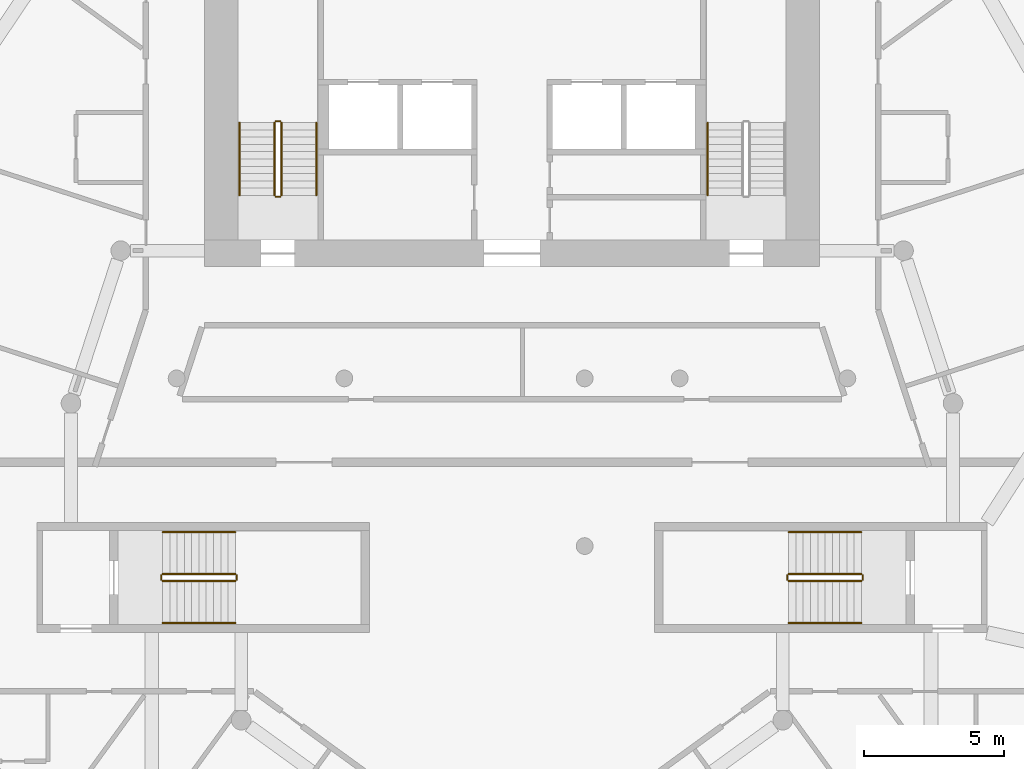
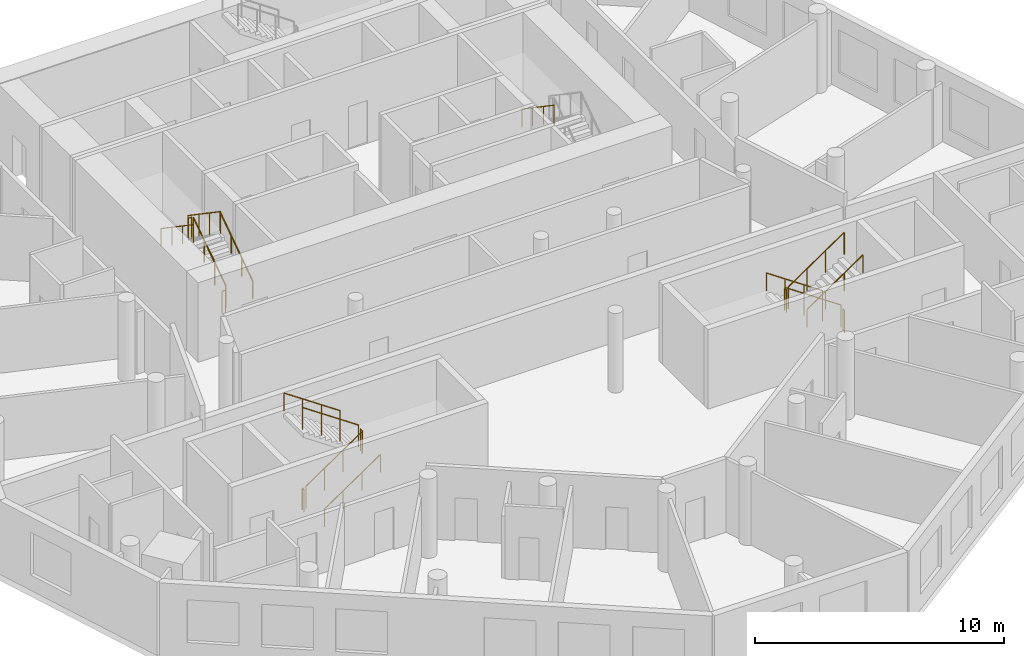
# One storey, part 8 of 9: 19 railings.
"""IFC4 building model written with IfcOpenShell, lengths in metres."""

from ifc_helpers import new_model, si_unit, direction, frame, origin, origin_2d, place, context, subcontext, project, spatial, circle, extrude, material, type_object, element, save


model = new_model("IFC4")

# Units and contexts
model_context = context("Model", 3, precision=1e-05, world=origin(), true_north=direction((0.0, 1.0)))
body_context = subcontext(model_context, "Body", "Model", "MODEL_VIEW")
ifc_project = project(units=[si_unit("LENGTHUNIT", "METRE"), si_unit("AREAUNIT", "SQUARE_METRE"), si_unit("VOLUMEUNIT", "CUBIC_METRE"), si_unit("PLANEANGLEUNIT", "RADIAN"), si_unit("MASSUNIT", "GRAM", prefix="KILO")], contexts=[model_context])

# Site, building, storey
site_placement = place(None, origin())
site = spatial("IfcSite", under=ifc_project, at=site_placement, CompositionType="ELEMENT")
building_placement = place(site_placement, origin())
building = spatial("IfcBuilding", under=site, at=building_placement, Name="White Candle Pilgrim Tower", CompositionType="ELEMENT")
storey_placement = place(building_placement, frame((0.0, 0.0, 168.10009765625)))
storey = spatial("IfcBuildingStorey", under=building, at=storey_placement, Name="L38", CompositionType="ELEMENT", Elevation=168.10009765625)

# Railings
ifc_material = material(Name="Stainless steel", Category="steel")
railing_type_1 = type_object("IfcRailingType", Name="Stair guard stainless steel 1100 mm", PredefinedType="GUARDRAIL", material=ifc_material)
railing_1_placement = place(storey_placement, frame((61.75, 73.550048828125, 0.17724609375)))
element("IfcRailing", 1, at=railing_1_placement, inside=storey, type_object=railing_type_1, Name="L38 ST1 stair guard 1", PredefinedType="GUARDRAIL", context=body_context, shape_type="SweptSolid", body=[
    extrude(circle(Radius=0.02392578125, at=origin_2d()), frame((0.0, 0.0, 1.076171875), z_axis=(0.0, 0.826215852431, 0.563353676824), x_axis=(-1.0, 0.0, 0.0)), (0.0, 0.0, 1.0), 3.146728515625),
    extrude(circle(Radius=0.02099609375, at=origin_2d()), origin(), (0.0, 0.0, 1.0), 1.052001953125),
    extrude(circle(Radius=0.02099609375, at=origin_2d()), frame((0.0, 0.86669921875, 0.5908203125)), (0.0, 0.0, 1.0), 1.052001953125),
    extrude(circle(Radius=0.02099609375, at=origin_2d()), frame((0.0, 1.733154296875, 1.181884765625)), (0.0, 0.0, 1.0), 1.052001953125),
    extrude(circle(Radius=0.02099609375, at=origin_2d()), frame((0.0, 2.599853515625, 1.772705078125)), (0.0, 0.0, 1.0), 1.052001953125),
])
railing_2_placement = place(storey_placement, frame((61.699951171875, 76.199951171875, 1.949951171875)))
element("IfcRailing", 2, at=railing_2_placement, inside=storey, type_object=railing_type_1, Name="L38 ST1 stair guard 2", PredefinedType="GUARDRAIL", context=body_context, shape_type="SweptSolid", body=[
    extrude(circle(Radius=0.02392578125, at=origin_2d()), frame((0.0, 0.0, 1.076171875), z_axis=(-1.0, 0.0, 0.0), x_axis=(0.0, -1.0, 0.0)), (0.0, 0.0, 1.0), 0.14990234375),
    extrude(circle(Radius=0.02099609375, at=origin_2d()), origin(), (0.0, 0.0, 1.0), 1.052001953125),
    extrude(circle(Radius=0.02099609375, at=origin_2d()), frame((-0.14990234375, 0.0, 0.0)), (0.0, 0.0, 1.0), 1.052001953125),
])
railing_3_placement = place(storey_placement, frame((61.5, 76.14990234375, 2.127197265625)))
element("IfcRailing", 3, at=railing_3_placement, inside=storey, type_object=railing_type_1, Name="L38 ST1 stair guard 3", PredefinedType="GUARDRAIL", context=body_context, shape_type="SweptSolid", body=[
    extrude(circle(Radius=0.02392578125, at=origin_2d()), frame((0.0, 0.0, 1.076171875), z_axis=(0.0, -0.826215852431, 0.563353676824), x_axis=(1.0, 0.0, 0.0)), (0.0, 0.0, 1.0), 3.146728515625),
    extrude(circle(Radius=0.02099609375, at=origin_2d()), origin(), (0.0, 0.0, 1.0), 1.052001953125),
    extrude(circle(Radius=0.02099609375, at=origin_2d()), frame((0.0, -0.86669921875, 0.5908203125)), (0.0, 0.0, 1.0), 1.052001953125),
    extrude(circle(Radius=0.02099609375, at=origin_2d()), frame((0.0, -1.733154296875, 1.181884765625)), (0.0, 0.0, 1.0), 1.052001953125),
    extrude(circle(Radius=0.02099609375, at=origin_2d()), frame((0.0, -2.599853515625, 1.772705078125)), (0.0, 0.0, 1.0), 1.052001953125),
])
railing_4_placement = place(storey_placement, frame((61.699951171875, 73.5, 0.0)))
element("IfcRailing", 4, at=railing_4_placement, inside=storey, type_object=railing_type_1, Name="L38 ST1 stair guard 4", PredefinedType="GUARDRAIL", context=body_context, shape_type="SweptSolid", body=[
    extrude(circle(Radius=0.02392578125, at=origin_2d()), frame((0.0, 0.0, 1.076171875), z_axis=(-1.0, 0.0, 0.0), x_axis=(0.0, -1.0, 0.0)), (0.0, 0.0, 1.0), 0.14990234375),
    extrude(circle(Radius=0.02099609375, at=origin_2d()), origin(), (0.0, 0.0, 1.0), 1.052001953125),
    extrude(circle(Radius=0.02099609375, at=origin_2d()), frame((-0.14990234375, 0.0, 0.0)), (0.0, 0.0, 1.0), 1.052001953125),
])
railing_5_placement = place(storey_placement, frame((82.5, 60.0, 0.17724609375)))
element("IfcRailing", 5, at=railing_5_placement, inside=storey, type_object=railing_type_1, Name="L38 ST4 stair guard 1", PredefinedType="GUARDRAIL", context=body_context, shape_type="SweptSolid", body=[
    extrude(circle(Radius=0.02392578125, at=origin_2d()), frame((0.0, 0.0, 1.076171875), z_axis=(-0.826240473404, 0.0, 0.563317565952), x_axis=(0.0, -1.0, 0.0)), (0.0, 0.0, 1.0), 3.14697265625),
    extrude(circle(Radius=0.02099609375, at=origin_2d()), origin(), (0.0, 0.0, 1.0), 1.052001953125),
    extrude(circle(Radius=0.02099609375, at=origin_2d()), frame((-0.86669921875, 0.0, 0.5908203125)), (0.0, 0.0, 1.0), 1.052001953125),
    extrude(circle(Radius=0.02099609375, at=origin_2d()), frame((-1.7333984375, 0.0, 1.181884765625)), (0.0, 0.0, 1.0), 1.052001953125),
    extrude(circle(Radius=0.02099609375, at=origin_2d()), frame((-2.60009765625, 0.0, 1.772705078125)), (0.0, 0.0, 1.0), 1.052001953125),
])
railing_6_placement = place(storey_placement, frame((79.85009765625, 59.949951171875, 1.949951171875)))
element("IfcRailing", 6, at=railing_6_placement, inside=storey, type_object=railing_type_1, Name="L38 ST4 stair guard 2", PredefinedType="GUARDRAIL", context=body_context, shape_type="SweptSolid", body=[
    extrude(circle(Radius=0.02392578125, at=origin_2d()), frame((0.0, 0.0, 1.076171875), z_axis=(0.0, -1.0, 0.0), x_axis=(1.0, 0.0, 0.0)), (0.0, 0.0, 1.0), 0.14990234375),
    extrude(circle(Radius=0.02099609375, at=origin_2d()), origin(), (0.0, 0.0, 1.0), 1.052001953125),
    extrude(circle(Radius=0.02099609375, at=origin_2d()), frame((0.0, -0.14990234375, 0.0)), (0.0, 0.0, 1.0), 1.052001953125),
])
railing_7_placement = place(storey_placement, frame((79.89990234375, 59.75, 2.127197265625)))
element("IfcRailing", 7, at=railing_7_placement, inside=storey, type_object=railing_type_1, Name="L38 ST4 stair guard 3", PredefinedType="GUARDRAIL", context=body_context, shape_type="SweptSolid", body=[
    extrude(circle(Radius=0.02392578125, at=origin_2d()), frame((0.0, 0.0, 1.076171875), z_axis=(0.826240473404, 0.0, 0.563317565952), x_axis=(0.0, 1.0, 0.0)), (0.0, 0.0, 1.0), 3.14697265625),
    extrude(circle(Radius=0.02099609375, at=origin_2d()), origin(), (0.0, 0.0, 1.0), 1.052001953125),
    extrude(circle(Radius=0.02099609375, at=origin_2d()), frame((0.86669921875, 0.0, 0.5908203125)), (0.0, 0.0, 1.0), 1.052001953125),
    extrude(circle(Radius=0.02099609375, at=origin_2d()), frame((1.7333984375, 0.0, 1.181884765625)), (0.0, 0.0, 1.0), 1.052001953125),
    extrude(circle(Radius=0.02099609375, at=origin_2d()), frame((2.60009765625, 0.0, 1.772705078125)), (0.0, 0.0, 1.0), 1.052001953125),
])
railing_8_placement = place(storey_placement, frame((82.550048828125, 59.949951171875, 0.0)))
element("IfcRailing", 8, at=railing_8_placement, inside=storey, type_object=railing_type_1, Name="L38 ST4 stair guard 4", PredefinedType="GUARDRAIL", context=body_context, shape_type="SweptSolid", body=[
    extrude(circle(Radius=0.02392578125, at=origin_2d()), frame((0.0, 0.0, 1.076171875), z_axis=(0.0, -1.0, 0.0), x_axis=(1.0, 0.0, 0.0)), (0.0, 0.0, 1.0), 0.14990234375),
    extrude(circle(Radius=0.02099609375, at=origin_2d()), origin(), (0.0, 0.0, 1.0), 1.052001953125),
    extrude(circle(Radius=0.02099609375, at=origin_2d()), frame((0.0, -0.14990234375, 0.0)), (0.0, 0.0, 1.0), 1.052001953125),
])
railing_9_placement = place(storey_placement, frame((57.5, 59.75, 0.17724609375)))
element("IfcRailing", 9, at=railing_9_placement, inside=storey, type_object=railing_type_1, Name="L38 ST5 stair guard 1", PredefinedType="GUARDRAIL", context=body_context, shape_type="SweptSolid", body=[
    extrude(circle(Radius=0.02392578125, at=origin_2d()), frame((0.0, 0.0, 1.076171875), z_axis=(0.826240473404, 0.0, 0.563317565952), x_axis=(0.0, 1.0, 0.0)), (0.0, 0.0, 1.0), 3.14697265625),
    extrude(circle(Radius=0.02099609375, at=origin_2d()), origin(), (0.0, 0.0, 1.0), 1.052001953125),
    extrude(circle(Radius=0.02099609375, at=origin_2d()), frame((0.86669921875, 0.0, 0.5908203125)), (0.0, 0.0, 1.0), 1.052001953125),
    extrude(circle(Radius=0.02099609375, at=origin_2d()), frame((1.7333984375, 0.0, 1.181884765625)), (0.0, 0.0, 1.0), 1.052001953125),
    extrude(circle(Radius=0.02099609375, at=origin_2d()), frame((2.60009765625, 0.0, 1.772705078125)), (0.0, 0.0, 1.0), 1.052001953125),
])
railing_10_placement = place(storey_placement, frame((60.14990234375, 59.800048828125, 1.949951171875)))
element("IfcRailing", 10, at=railing_10_placement, inside=storey, type_object=railing_type_1, Name="L38 ST5 stair guard 2", PredefinedType="GUARDRAIL", context=body_context, shape_type="SweptSolid", body=[
    extrude(circle(Radius=0.02392578125, at=origin_2d()), frame((0.0, 0.0, 1.076171875), z_axis=(0.0, 1.0, 0.0), x_axis=(-1.0, 0.0, 0.0)), (0.0, 0.0, 1.0), 0.14990234375),
    extrude(circle(Radius=0.02099609375, at=origin_2d()), origin(), (0.0, 0.0, 1.0), 1.052001953125),
    extrude(circle(Radius=0.02099609375, at=origin_2d()), frame((0.0, 0.14990234375, 0.0)), (0.0, 0.0, 1.0), 1.052001953125),
])
railing_11_placement = place(storey_placement, frame((60.10009765625, 60.0, 2.127197265625)))
element("IfcRailing", 11, at=railing_11_placement, inside=storey, type_object=railing_type_1, Name="L38 ST5 stair guard 3", PredefinedType="GUARDRAIL", context=body_context, shape_type="SweptSolid", body=[
    extrude(circle(Radius=0.02392578125, at=origin_2d()), frame((0.0, 0.0, 1.076171875), z_axis=(-0.826240473404, 0.0, 0.563317565952), x_axis=(0.0, -1.0, 0.0)), (0.0, 0.0, 1.0), 3.14697265625),
    extrude(circle(Radius=0.02099609375, at=origin_2d()), origin(), (0.0, 0.0, 1.0), 1.052001953125),
    extrude(circle(Radius=0.02099609375, at=origin_2d()), frame((-0.86669921875, 0.0, 0.5908203125)), (0.0, 0.0, 1.0), 1.052001953125),
    extrude(circle(Radius=0.02099609375, at=origin_2d()), frame((-1.7333984375, 0.0, 1.181884765625)), (0.0, 0.0, 1.0), 1.052001953125),
    extrude(circle(Radius=0.02099609375, at=origin_2d()), frame((-2.60009765625, 0.0, 1.772705078125)), (0.0, 0.0, 1.0), 1.052001953125),
])
railing_12_placement = place(storey_placement, frame((57.449951171875, 59.800048828125, 0.0)))
element("IfcRailing", 12, at=railing_12_placement, inside=storey, type_object=railing_type_1, Name="L38 ST5 stair guard 4", PredefinedType="GUARDRAIL", context=body_context, shape_type="SweptSolid", body=[
    extrude(circle(Radius=0.02392578125, at=origin_2d()), frame((0.0, 0.0, 1.076171875), z_axis=(0.0, 1.0, 0.0), x_axis=(-1.0, 0.0, 0.0)), (0.0, 0.0, 1.0), 0.14990234375),
    extrude(circle(Radius=0.02099609375, at=origin_2d()), origin(), (0.0, 0.0, 1.0), 1.052001953125),
    extrude(circle(Radius=0.02099609375, at=origin_2d()), frame((0.0, 0.14990234375, 0.0)), (0.0, 0.0, 1.0), 1.052001953125),
])
railing_type_2 = type_object("IfcRailingType", Name="Stair handrail stainless steel", PredefinedType="HANDRAIL", material=ifc_material)
railing_13_placement = place(storey_placement, frame((63.0, 73.550048828125, 0.17724609375)))
element("IfcRailing", 13, at=railing_13_placement, inside=storey, type_object=railing_type_2, Name="L38 ST1 stair handrail 1", PredefinedType="HANDRAIL", context=body_context, shape_type="SweptSolid", body=[
    extrude(circle(Radius=0.02392578125, at=origin_2d()), frame((0.0, 0.0, 0.8759765625), z_axis=(0.0, 0.826215852431, 0.563353676824), x_axis=(-1.0, 0.0, 0.0)), (0.0, 0.0, 1.0), 3.146728515625),
    extrude(circle(Radius=0.02099609375, at=origin_2d()), origin(), (0.0, 0.0, 1.0), 0.851806640625),
    extrude(circle(Radius=0.02099609375, at=origin_2d()), frame((0.0, 0.86669921875, 0.5908203125)), (0.0, 0.0, 1.0), 0.851806640625),
    extrude(circle(Radius=0.02099609375, at=origin_2d()), frame((0.0, 1.733154296875, 1.181884765625)), (0.0, 0.0, 1.0), 0.851806640625),
    extrude(circle(Radius=0.02099609375, at=origin_2d()), frame((0.0, 2.599853515625, 1.772705078125)), (0.0, 0.0, 1.0), 0.851806640625),
])
for number, where, name in (
    (14, (60.25, 76.14990234375, 2.127197265625), "L38 ST1 stair handrail 2"),
    (15, (77.0, 76.14990234375, 2.127197265625), "L38 ST2 stair handrail 2"),
):
    element("IfcRailing", number, at=place(storey_placement, frame(where)), inside=storey, type_object=railing_type_2, Name=name, PredefinedType="HANDRAIL", context=body_context, shape_type="SweptSolid", body=[
        extrude(circle(Radius=0.02392578125, at=origin_2d()), frame((0.0, 0.0, 0.8759765625), z_axis=(0.0, -0.826215852431, 0.563353676824), x_axis=(1.0, 0.0, 0.0)), (0.0, 0.0, 1.0), 3.146728515625),
        extrude(circle(Radius=0.02099609375, at=origin_2d()), origin(), (0.0, 0.0, 1.0), 0.851806640625),
        extrude(circle(Radius=0.02099609375, at=origin_2d()), frame((0.0, -0.86669921875, 0.5908203125)), (0.0, 0.0, 1.0), 0.851806640625),
        extrude(circle(Radius=0.02099609375, at=origin_2d()), frame((0.0, -1.733154296875, 1.181884765625)), (0.0, 0.0, 1.0), 0.851806640625),
        extrude(circle(Radius=0.02099609375, at=origin_2d()), frame((0.0, -2.599853515625, 1.772705078125)), (0.0, 0.0, 1.0), 0.851806640625),
    ])
railing_14_placement = place(storey_placement, frame((82.5, 61.5, 0.17724609375)))
element("IfcRailing", 16, at=railing_14_placement, inside=storey, type_object=railing_type_2, Name="L38 ST4 stair handrail 1", PredefinedType="HANDRAIL", context=body_context, shape_type="SweptSolid", body=[
    extrude(circle(Radius=0.02392578125, at=origin_2d()), frame((0.0, 0.0, 0.8759765625), z_axis=(-0.826240473404, 0.0, 0.563317565952), x_axis=(0.0, -1.0, 0.0)), (0.0, 0.0, 1.0), 3.14697265625),
    extrude(circle(Radius=0.02099609375, at=origin_2d()), origin(), (0.0, 0.0, 1.0), 0.851806640625),
    extrude(circle(Radius=0.02099609375, at=origin_2d()), frame((-0.86669921875, 0.0, 0.5908203125)), (0.0, 0.0, 1.0), 0.851806640625),
    extrude(circle(Radius=0.02099609375, at=origin_2d()), frame((-1.7333984375, 0.0, 1.181884765625)), (0.0, 0.0, 1.0), 0.851806640625),
    extrude(circle(Radius=0.02099609375, at=origin_2d()), frame((-2.60009765625, 0.0, 1.772705078125)), (0.0, 0.0, 1.0), 0.851806640625),
])
for number, where, name in (
    (17, (79.89990234375, 58.25, 2.127197265625), "L38 ST4 stair handrail 2"),
    (18, (57.5, 58.25, 0.17724609375), "L38 ST5 stair handrail 1"),
):
    element("IfcRailing", number, at=place(storey_placement, frame(where)), inside=storey, type_object=railing_type_2, Name=name, PredefinedType="HANDRAIL", context=body_context, shape_type="SweptSolid", body=[
        extrude(circle(Radius=0.02392578125, at=origin_2d()), frame((0.0, 0.0, 0.8759765625), z_axis=(0.826240473404, 0.0, 0.563317565952), x_axis=(0.0, 1.0, 0.0)), (0.0, 0.0, 1.0), 3.14697265625),
        extrude(circle(Radius=0.02099609375, at=origin_2d()), origin(), (0.0, 0.0, 1.0), 0.851806640625),
        extrude(circle(Radius=0.02099609375, at=origin_2d()), frame((0.86669921875, 0.0, 0.5908203125)), (0.0, 0.0, 1.0), 0.851806640625),
        extrude(circle(Radius=0.02099609375, at=origin_2d()), frame((1.7333984375, 0.0, 1.181884765625)), (0.0, 0.0, 1.0), 0.851806640625),
        extrude(circle(Radius=0.02099609375, at=origin_2d()), frame((2.60009765625, 0.0, 1.772705078125)), (0.0, 0.0, 1.0), 0.851806640625),
    ])
railing_15_placement = place(storey_placement, frame((60.10009765625, 61.5, 2.127197265625)))
element("IfcRailing", 19, at=railing_15_placement, inside=storey, type_object=railing_type_2, Name="L38 ST5 stair handrail 2", PredefinedType="HANDRAIL", context=body_context, shape_type="SweptSolid", body=[
    extrude(circle(Radius=0.02392578125, at=origin_2d()), frame((0.0, 0.0, 0.8759765625), z_axis=(-0.826240473404, 0.0, 0.563317565952), x_axis=(0.0, -1.0, 0.0)), (0.0, 0.0, 1.0), 3.14697265625),
    extrude(circle(Radius=0.02099609375, at=origin_2d()), origin(), (0.0, 0.0, 1.0), 0.851806640625),
    extrude(circle(Radius=0.02099609375, at=origin_2d()), frame((-0.86669921875, 0.0, 0.5908203125)), (0.0, 0.0, 1.0), 0.851806640625),
    extrude(circle(Radius=0.02099609375, at=origin_2d()), frame((-1.7333984375, 0.0, 1.181884765625)), (0.0, 0.0, 1.0), 0.851806640625),
    extrude(circle(Radius=0.02099609375, at=origin_2d()), frame((-2.60009765625, 0.0, 1.772705078125)), (0.0, 0.0, 1.0), 0.851806640625),
])

save(model, "model.ifc")
